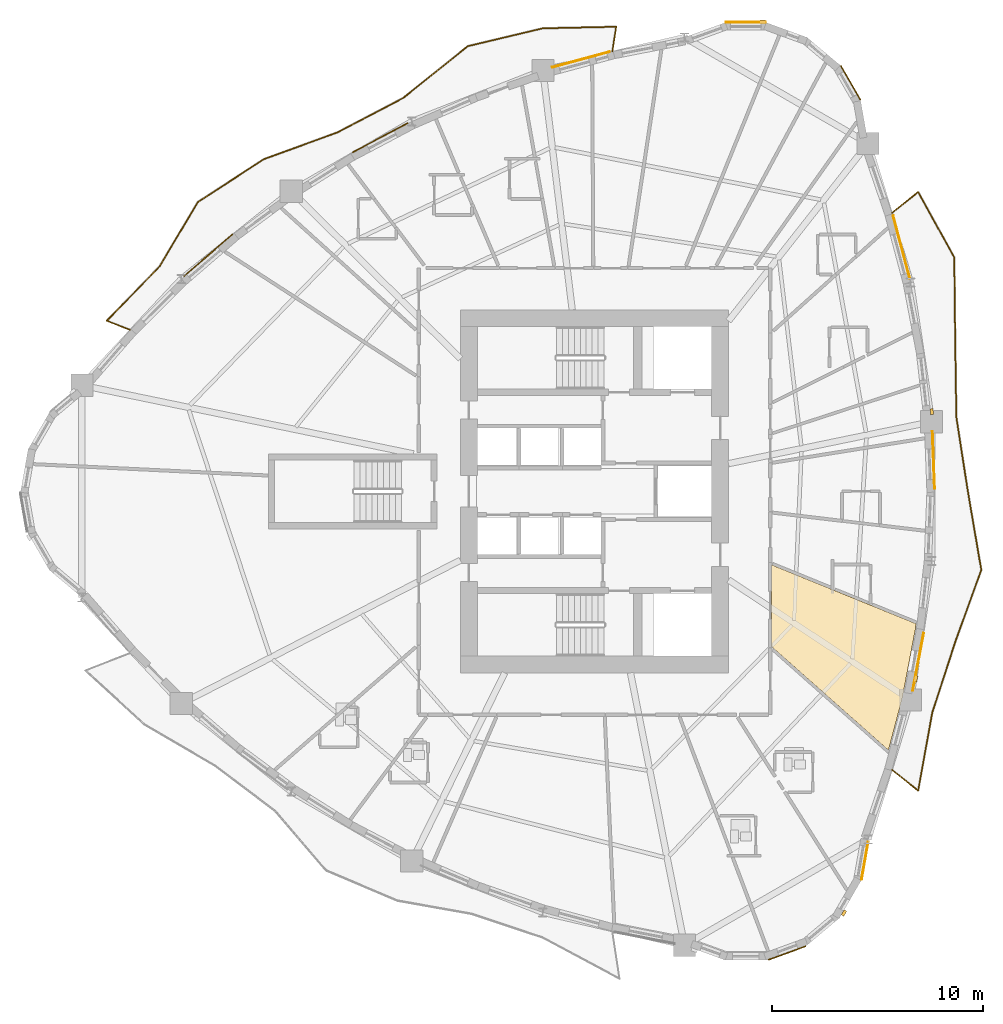
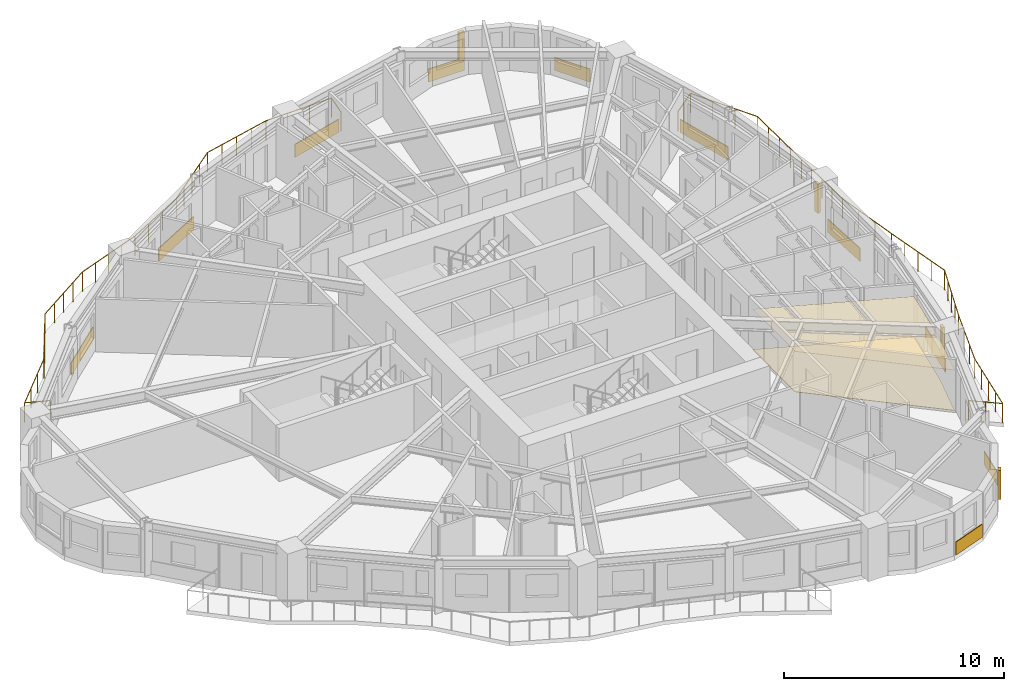
# One storey, part 13 of 14: 12 coverings, 4 shading devices, 2 railings.
"""IFC4 building model written with IfcOpenShell, lengths in metres."""

from ifc_helpers import new_model, si_unit, direction, frame, origin, origin_2d, place, context, subcontext, project, spatial, polyline, rectangle, circle, outline, extrude, source, transform, mapped, material, layer, layer_set, type_object, element, save


model = new_model("IFC4")

# Units and contexts
model_context = context("Model", 3, precision=1e-05, world=origin(), true_north=direction((0.0, 1.0)))
body_context = subcontext(model_context, "Body", "Model", "MODEL_VIEW")
ifc_project = project(units=[si_unit("LENGTHUNIT", "METRE"), si_unit("AREAUNIT", "SQUARE_METRE"), si_unit("VOLUMEUNIT", "CUBIC_METRE"), si_unit("PLANEANGLEUNIT", "RADIAN"), si_unit("MASSUNIT", "GRAM", prefix="KILO")], contexts=[model_context])

# Site, building, storey
site_placement = place(None, origin())
site = spatial("IfcSite", under=ifc_project, at=site_placement, CompositionType="ELEMENT")
building_placement = place(site_placement, origin())
building = spatial("IfcBuilding", under=site, at=building_placement, Name="Qafzar Sky-Pleat Residences", CompositionType="ELEMENT")
storey_placement = place(building_placement, frame((0.0, 0.0, 39.800048828125)))
storey = spatial("IfcBuildingStorey", under=building, at=storey_placement, Name="L11", CompositionType="ELEMENT", Elevation=39.800048828125)

# Coverings
ifc_material_1 = material(Name="Perforated acoustic gypsum board ceiling")
ifc_layer_1 = layer(ifc_material_1, 0.02001953125)
ifc_layer_set_1 = layer_set([ifc_layer_1], Name="Perforated acoustic gypsum board ceiling")
covering_type_1 = type_object("IfcCoveringType", Name="COV-CEIL-ACOUSTIC", PredefinedType="CEILING", material=ifc_layer_set_1)
covering_1_placement = place(storey_placement, frame((0.0, 0.0, 2.239990234375)))
element("IfcCovering", 1, at=covering_1_placement, inside=storey, type_object=covering_type_1, Name="L11 Communal Kitchen Acoustic Ceiling", PredefinedType="CEILING", context=body_context, shape_type="SweptSolid", body=[
    extrude(outline(polyline([(45.552734375, 19.46630859375), (44.931884765625, 16.197998046875), (44.277099609375, 13.736083984375), (38.739990234375, 18.643798828125), (38.739990234375, 22.517578125), (45.582763671875, 19.72998046875), (45.552734375, 19.46630859375)])), origin(), (0.0, 0.0, 1.0), 0.02001953125),
])
ifc_material_2 = material(Name="Honed porcelain and Riyadh stone tile flooring", Category="masonry")
ifc_layer_2 = layer(ifc_material_2, 0.02001953125)
ifc_layer_set_2 = layer_set([ifc_layer_2], Name="Honed porcelain and Riyadh stone tile flooring")
covering_type_2 = type_object("IfcCoveringType", Name="COV-FLR-PORCELAIN", PredefinedType="FLOORING", material=ifc_layer_set_2)
covering_2_placement = place(storey_placement, origin())
element("IfcCovering", 2, at=covering_2_placement, inside=storey, type_object=covering_type_2, Name="L11 Communal Kitchen Honed Stone Flooring", PredefinedType="FLOORING", context=body_context, shape_type="SweptSolid", body=[
    extrude(outline(polyline([(45.552734375, 19.46630859375), (44.931884765625, 16.197998046875), (44.277099609375, 13.736083984375), (38.739990234375, 18.643798828125), (38.739990234375, 22.517578125), (45.582763671875, 19.72998046875), (45.552734375, 19.46630859375)])), origin(), (0.0, 0.0, 1.0), 0.02001953125),
])

# Shading devices
ifc_material_3 = material(Name="Honed Riyadh limestone solar fin", Category="masonry")
ifc_layer_3 = layer(ifc_material_3, 0.139892578125)
ifc_layer_set_3 = layer_set([ifc_layer_3], Name="Honed Riyadh limestone solar fin")
shading_device_type = type_object("IfcShadingDeviceType", Name="SHD-FIN-STONE", PredefinedType="SHUTTER", material=ifc_layer_set_3)
shared_shape_1 = source(origin(), body_context, "Body", "SweptSolid", [
    extrude(rectangle(XDim=0.139892578125, YDim=0.280029296875, at=origin_2d()), origin(), (0.0, 0.0, 1.0), 1.60009765625),
])
for number, where, z_axis, x_axis, name in (
    (3, (42.171142578125, 6.02197265625, 0.599853515625), (0.0, 0.0, 1.0), (0.86604422228, -0.499967403994, 0.0), "L11 Limestone Solar Fin 21"),
    (4, (45.57958984375, 17.11572265625, 0.599853515625), (0.0, 0.0, 1.0), (0.982426090946, -0.186652018013, 0.0), "L11 Limestone Solar Fin 25"),
    (5, (46.33544921875, 29.773681640625, 0.599853515625), (0.0, 0.0, 1.0), (0.993566238116, 0.113252507596, 0.0), "L11 Limestone Solar Fin 29"),
    (6, (38.322509765625, 48.26171875, 0.599853515625), (0.0, 0.0, 1.0), (0.0, 1.0, 0.0), "L11 Limestone Solar Fin 37"),
):
    element("IfcShadingDevice", number, at=place(storey_placement, frame(where, z_axis=z_axis, x_axis=x_axis)), inside=storey, type_object=shading_device_type, Name=name, PredefinedType="SHUTTER", context=body_context, shape_type="MappedRepresentation", body=[
        mapped(shared_shape_1, transform((0.0, 0.0, 0.0), x_axis=(1.0, 0.0, 0.0), y_axis=(0.0, 1.0, 0.0), z_axis=(0.0, 0.0, 1.0), scale=1.0)),
    ])

# Coverings
ifc_material_4 = material(Name="Honed Riyadh Tuwaiq limestone cladding", Category="masonry")
ifc_layer_4 = layer(ifc_material_4, 0.044921875)
ifc_layer_set_4 = layer_set([ifc_layer_4], Name="Honed Riyadh Tuwaiq limestone cladding")
covering_type_3 = type_object("IfcCoveringType", Name="COV-CLAD-STONE", PredefinedType="CLADDING", material=ifc_layer_set_4)
shared_shape_2 = source(origin(), body_context, "Body", "SweptSolid", [
    extrude(rectangle(XDim=1.88134765625, YDim=0.044921875, at=origin_2d()), origin(), (0.0, 0.0, 1.0), 0.719970703125),
])
for number, where, z_axis, x_axis, name in (
    (7, (39.478515625, 4.127197265625, 0.02001953125), (0.0, 0.0, 1.0), (0.939678833387, 0.342058021518, 0.0), "L11 Riyadh Limestone Spandrel Cladding 19"),
    (8, (42.483154296875, 45.351806640625, 0.02001953125), (0.0, 0.0, 1.0), (-0.499972303345, 0.866041393865, 0.0), "L11 Riyadh Limestone Spandrel Cladding 34"),
    (9, (37.517578125, 48.21875, 0.02001953125), (0.0, 0.0, 1.0), (-1.0, 0.0, 0.0), "L11 Riyadh Limestone Spandrel Cladding 37"),
):
    element("IfcCovering", number, at=place(storey_placement, frame(where, z_axis=z_axis, x_axis=x_axis)), inside=storey, type_object=covering_type_3, Name=name, PredefinedType="CLADDING", context=body_context, shape_type="MappedRepresentation", body=[
        mapped(shared_shape_2, transform((0.0, 0.0, 0.0), x_axis=(1.0, 0.0, 0.0), y_axis=(0.0, 1.0, 0.0), z_axis=(0.0, 0.0, 1.0), scale=1.0)),
    ])
shared_shape_3 = source(origin(), body_context, "Body", "SweptSolid", [
    extrude(rectangle(XDim=1.8291015625, YDim=0.044921875, at=origin_2d()), origin(), (0.0, 0.0, 1.0), 0.719970703125),
])
covering_3_placement = place(storey_placement, frame((43.1591796875, 8.490966796875, 0.02001953125), z_axis=(0.0, 0.0, 1.0), x_axis=(0.17364778674, 0.984807821943, 0.0)))
element("IfcCovering", 10, at=covering_3_placement, inside=storey, type_object=covering_type_3, Name="L11 Riyadh Limestone Spandrel Cladding 22", PredefinedType="CLADDING", context=body_context, shape_type="MappedRepresentation", body=[
    mapped(shared_shape_3, transform((0.0, 0.0, 0.0), x_axis=(1.0, 0.0, 0.0), y_axis=(0.0, 1.0, 0.0), z_axis=(0.0, 0.0, 1.0), scale=1.0)),
])

# Railing
ifc_material_5 = material(Name="Laminated glass and bronze steel balustrade", Category="steel")
railing_type = type_object("IfcRailingType", Name="RAIL-BAL-1100", PredefinedType="BALUSTRADE", material=ifc_material_5)
shared_shape_4 = source(origin(), body_context, "Body", "SweptSolid", [
    extrude(circle(Radius=0.02392578125, at=origin_2d()), frame((0.0, 0.0, 1.076171875), z_axis=(0.151917016877, 0.988393251688, 0.0), x_axis=(-0.988393251688, 0.151917016877, 0.0)), (0.0, 0.0, 1.0), 1.177978515625),
    extrude(circle(Radius=0.02392578125, at=origin_2d()), frame((0.178955078125, 1.164306640625, 1.076171875), z_axis=(-0.99976715239, -0.021578716394, 0.0), x_axis=(0.021578716394, -0.99976715239, 0.0)), (0.0, 0.0, 1.0), 3.484619140625),
    extrude(circle(Radius=0.02392578125, at=origin_2d()), frame((-3.304931640625, 1.089111328125, 1.076171875), z_axis=(-0.972696245734, -0.232081911263, 0.0), x_axis=(0.232081911263, -0.972696245734, 0.0)), (0.0, 0.0, 1.0), 3.648193359375),
    extrude(circle(Radius=0.02392578125, at=origin_2d()), frame((-6.853515625, 0.242431640625, 1.076171875), z_axis=(-0.779956316978, -0.625833958495, 0.0), x_axis=(0.625833958495, -0.779956316978, 0.0)), (0.0, 0.0, 1.0), 3.9189453125),
    extrude(circle(Radius=0.02392578125, at=origin_2d()), frame((-9.91015625, -2.210205078125, 1.076171875), z_axis=(-0.88581111763, -0.464045971734, 0.0), x_axis=(0.464045971734, -0.88581111763, 0.0)), (0.0, 0.0, 1.0), 3.5107421875),
    extrude(circle(Radius=0.02392578125, at=origin_2d()), frame((-13.02001953125, -3.83935546875, 1.076171875), z_axis=(-0.939699130778, -0.342002256739, 0.0), x_axis=(0.342002256739, -0.939699130778, 0.0)), (0.0, 0.0, 1.0), 3.70556640625),
    extrude(circle(Radius=0.02392578125, at=origin_2d()), frame((-16.502197265625, -5.106689453125, 1.076171875), z_axis=(-0.839207102397, -0.543811952137, 0.0), x_axis=(0.543811952137, -0.839207102397, 0.0)), (0.0, 0.0, 1.0), 3.736572265625),
    extrude(circle(Radius=0.02392578125, at=origin_2d()), frame((-19.637939453125, -7.138671875, 1.076171875), z_axis=(-0.511359412882, -0.859366947734, 0.0), x_axis=(0.859366947734, -0.511359412882, 0.0)), (0.0, 0.0, 1.0), 3.552490234375),
    extrude(circle(Radius=0.02392578125, at=origin_2d()), frame((-21.45458984375, -10.191650390625, 1.076171875), z_axis=(-0.696103334982, -0.71794160419, 0.0), x_axis=(0.71794160419, -0.696103334982, 0.0)), (0.0, 0.0, 1.0), 3.588623046875),
    extrude(circle(Radius=0.02392578125, at=origin_2d()), frame((-23.95263671875, -12.76806640625, 1.076171875), z_axis=(0.931895714322, -0.362726312292, 0.0), x_axis=(0.362726312292, 0.931895714322, 0.0)), (0.0, 0.0, 1.0), 1.177978515625),
    extrude(circle(Radius=0.02099609375, at=origin_2d()), origin(), (0.0, 0.0, 1.0), 1.052001953125),
    extrude(circle(Radius=0.02099609375, at=origin_2d()), frame((0.178955078125, 1.164306640625, 0.0)), (0.0, 0.0, 1.0), 1.052001953125),
    extrude(circle(Radius=0.02099609375, at=origin_2d()), frame((-0.982421875, 1.13916015625, 0.0)), (0.0, 0.0, 1.0), 1.052001953125),
    extrude(circle(Radius=0.02099609375, at=origin_2d()), frame((-2.1435546875, 1.1142578125, 0.0)), (0.0, 0.0, 1.0), 1.052001953125),
    extrude(circle(Radius=0.02099609375, at=origin_2d()), frame((-3.304931640625, 1.089111328125, 0.0)), (0.0, 0.0, 1.0), 1.052001953125),
    extrude(circle(Radius=0.02099609375, at=origin_2d()), frame((-4.192138671875, 0.87744140625, 0.0)), (0.0, 0.0, 1.0), 1.052001953125),
    extrude(circle(Radius=0.02099609375, at=origin_2d()), frame((-5.0791015625, 0.665771484375, 0.0)), (0.0, 0.0, 1.0), 1.052001953125),
    extrude(circle(Radius=0.02099609375, at=origin_2d()), frame((-5.96630859375, 0.4541015625, 0.0)), (0.0, 0.0, 1.0), 1.052001953125),
    extrude(circle(Radius=0.02099609375, at=origin_2d()), frame((-6.853515625, 0.242431640625, 0.0)), (0.0, 0.0, 1.0), 1.052001953125),
    extrude(circle(Radius=0.02099609375, at=origin_2d()), frame((-7.61767578125, -0.37060546875, 0.0)), (0.0, 0.0, 1.0), 1.052001953125),
    extrude(circle(Radius=0.02099609375, at=origin_2d()), frame((-8.3818359375, -0.98388671875, 0.0)), (0.0, 0.0, 1.0), 1.052001953125),
    extrude(circle(Radius=0.02099609375, at=origin_2d()), frame((-9.14599609375, -1.59716796875, 0.0)), (0.0, 0.0, 1.0), 1.052001953125),
    extrude(circle(Radius=0.02099609375, at=origin_2d()), frame((-9.91015625, -2.210205078125, 0.0)), (0.0, 0.0, 1.0), 1.052001953125),
    extrude(circle(Radius=0.02099609375, at=origin_2d()), frame((-10.94677734375, -2.753173828125, 0.0)), (0.0, 0.0, 1.0), 1.052001953125),
    extrude(circle(Radius=0.02099609375, at=origin_2d()), frame((-11.9833984375, -3.29638671875, 0.0)), (0.0, 0.0, 1.0), 1.052001953125),
    extrude(circle(Radius=0.02099609375, at=origin_2d()), frame((-13.02001953125, -3.83935546875, 0.0)), (0.0, 0.0, 1.0), 1.052001953125),
    extrude(circle(Radius=0.02099609375, at=origin_2d()), frame((-13.890625, -4.15625, 0.0)), (0.0, 0.0, 1.0), 1.052001953125),
    extrude(circle(Radius=0.02099609375, at=origin_2d()), frame((-14.76123046875, -4.47314453125, 0.0)), (0.0, 0.0, 1.0), 1.052001953125),
    extrude(circle(Radius=0.02099609375, at=origin_2d()), frame((-15.631591796875, -4.789794921875, 0.0)), (0.0, 0.0, 1.0), 1.052001953125),
    extrude(circle(Radius=0.02099609375, at=origin_2d()), frame((-16.502197265625, -5.106689453125, 0.0)), (0.0, 0.0, 1.0), 1.052001953125),
    extrude(circle(Radius=0.02099609375, at=origin_2d()), frame((-17.2861328125, -5.61474609375, 0.0)), (0.0, 0.0, 1.0), 1.052001953125),
    extrude(circle(Radius=0.02099609375, at=origin_2d()), frame((-18.070068359375, -6.12255859375, 0.0)), (0.0, 0.0, 1.0), 1.052001953125),
    extrude(circle(Radius=0.02099609375, at=origin_2d()), frame((-18.85400390625, -6.630615234375, 0.0)), (0.0, 0.0, 1.0), 1.052001953125),
    extrude(circle(Radius=0.02099609375, at=origin_2d()), frame((-19.637939453125, -7.138671875, 0.0)), (0.0, 0.0, 1.0), 1.052001953125),
    extrude(circle(Radius=0.02099609375, at=origin_2d()), frame((-20.243408203125, -8.15625, 0.0)), (0.0, 0.0, 1.0), 1.052001953125),
    extrude(circle(Radius=0.02099609375, at=origin_2d()), frame((-20.84912109375, -9.174072265625, 0.0)), (0.0, 0.0, 1.0), 1.052001953125),
    extrude(circle(Radius=0.02099609375, at=origin_2d()), frame((-21.45458984375, -10.191650390625, 0.0)), (0.0, 0.0, 1.0), 1.052001953125),
    extrude(circle(Radius=0.02099609375, at=origin_2d()), frame((-22.287353515625, -11.050537109375, 0.0)), (0.0, 0.0, 1.0), 1.052001953125),
    extrude(circle(Radius=0.02099609375, at=origin_2d()), frame((-23.119873046875, -11.9091796875, 0.0)), (0.0, 0.0, 1.0), 1.052001953125),
    extrude(circle(Radius=0.02099609375, at=origin_2d()), frame((-23.95263671875, -12.76806640625, 0.0)), (0.0, 0.0, 1.0), 1.052001953125),
    extrude(circle(Radius=0.02099609375, at=origin_2d()), frame((-22.85498046875, -13.1953125, 0.0)), (0.0, 0.0, 1.0), 1.052001953125),
])
railing_1_placement = place(storey_placement, frame((31.2001953125, 46.84765625, 0.0)))
element("IfcRailing", 11, at=railing_1_placement, inside=storey, type_object=railing_type, Name="L11 Pleated Balcony 2 Balustrade", PredefinedType="BALUSTRADE", context=body_context, shape_type="MappedRepresentation", body=[
    mapped(shared_shape_4, transform((0.0, 0.0, 0.0), x_axis=(1.0, 0.0, 0.0), y_axis=(0.0, 1.0, 0.0), z_axis=(0.0, 0.0, 1.0), scale=1.0)),
])

# Coverings
shared_shape_5 = source(origin(), body_context, "Body", "SweptSolid", [
    extrude(rectangle(XDim=2.78466796875, YDim=0.044921875, at=origin_2d()), origin(), (0.0, 0.0, 1.0), 0.719970703125),
])
covering_4_placement = place(storey_placement, frame((45.6884765625, 17.91943359375, 0.02001953125), z_axis=(0.0, 0.0, 1.0), x_axis=(0.186653159083, 0.982425874153, 0.0)))
element("IfcCovering", 12, at=covering_4_placement, inside=storey, type_object=covering_type_3, Name="L11 Riyadh Limestone Spandrel Cladding 25", PredefinedType="CLADDING", context=body_context, shape_type="MappedRepresentation", body=[
    mapped(shared_shape_5, transform((0.0, 0.0, 0.0), x_axis=(1.0, 0.0, 0.0), y_axis=(0.0, 1.0, 0.0), z_axis=(0.0, 0.0, 1.0), scale=1.0)),
])
shared_shape_6 = source(origin(), body_context, "Body", "SweptSolid", [
    extrude(rectangle(XDim=2.733642578125, YDim=0.044921875, at=origin_2d()), origin(), (0.0, 0.0, 1.0), 0.719970703125),
])
covering_5_placement = place(storey_placement, frame((46.415283203125, 27.48046875, 0.02001953125), z_axis=(0.0, 0.0, 1.0), x_axis=(-0.037993107975, 0.999278001232, 0.0)))
element("IfcCovering", 13, at=covering_5_placement, inside=storey, type_object=covering_type_3, Name="L11 Riyadh Limestone Spandrel Cladding 28", PredefinedType="CLADDING", context=body_context, shape_type="MappedRepresentation", body=[
    mapped(shared_shape_6, transform((0.0, 0.0, 0.0), x_axis=(1.0, 0.0, 0.0), y_axis=(0.0, 1.0, 0.0), z_axis=(0.0, 0.0, 1.0), scale=1.0)),
])
shared_shape_7 = source(origin(), body_context, "Body", "SweptSolid", [
    extrude(rectangle(XDim=3.086669921875, YDim=0.044921875, at=origin_2d()), origin(), (0.0, 0.0, 1.0), 0.719970703125),
])
covering_6_placement = place(storey_placement, frame((44.8974609375, 37.572998046875, 0.02001953125), z_axis=(0.0, 0.0, 1.0), x_axis=(-0.257060075079, 0.966395425176, 0.0)))
element("IfcCovering", 14, at=covering_6_placement, inside=storey, type_object=covering_type_3, Name="L11 Riyadh Limestone Spandrel Cladding 31", PredefinedType="CLADDING", context=body_context, shape_type="MappedRepresentation", body=[
    mapped(shared_shape_7, transform((0.0, 0.0, 0.0), x_axis=(1.0, 0.0, 0.0), y_axis=(0.0, 1.0, 0.0), z_axis=(0.0, 0.0, 1.0), scale=1.0)),
])
shared_shape_8 = source(origin(), body_context, "Body", "SweptSolid", [
    extrude(rectangle(XDim=2.834716796875, YDim=0.044921875, at=origin_2d()), origin(), (0.0, 0.0, 1.0), 0.719970703125),
])
covering_7_placement = place(storey_placement, frame((29.708984375, 46.45654296875, 0.02001953125), z_axis=(0.0, 0.0, 1.0), x_axis=(-0.965456482184, -0.260564350993, 0.0)))
element("IfcCovering", 15, at=covering_7_placement, inside=storey, type_object=covering_type_3, Name="L11 Riyadh Limestone Spandrel Cladding 40", PredefinedType="CLADDING", context=body_context, shape_type="MappedRepresentation", body=[
    mapped(shared_shape_8, transform((0.0, 0.0, 0.0), x_axis=(1.0, 0.0, 0.0), y_axis=(0.0, 1.0, 0.0), z_axis=(0.0, 0.0, 1.0), scale=1.0)),
])
shared_shape_9 = source(origin(), body_context, "Body", "SweptSolid", [
    extrude(rectangle(XDim=2.985595703125, YDim=0.044921875, at=origin_2d()), origin(), (0.0, 0.0, 1.0), 0.719970703125),
])
covering_8_placement = place(storey_placement, frame((20.1982421875, 42.753662109375, 0.02001953125), z_axis=(0.0, 0.0, 1.0), x_axis=(-0.884384061538, -0.466759929404, 0.0)))
element("IfcCovering", 16, at=covering_8_placement, inside=storey, type_object=covering_type_3, Name="L11 Riyadh Limestone Spandrel Cladding 43", PredefinedType="CLADDING", context=body_context, shape_type="MappedRepresentation", body=[
    mapped(shared_shape_9, transform((0.0, 0.0, 0.0), x_axis=(1.0, 0.0, 0.0), y_axis=(0.0, 1.0, 0.0), z_axis=(0.0, 0.0, 1.0), scale=1.0)),
])
shared_shape_10 = source(origin(), body_context, "Body", "SweptSolid", [
    extrude(rectangle(XDim=3.03662109375, YDim=0.044921875, at=origin_2d()), origin(), (0.0, 0.0, 1.0), 0.719970703125),
])
covering_9_placement = place(storey_placement, frame((12.0517578125, 37.18701171875, 0.02001953125), z_axis=(0.0, 0.0, 1.0), x_axis=(-0.757481729297, -0.652856362289, 0.0)))
element("IfcCovering", 17, at=covering_9_placement, inside=storey, type_object=covering_type_3, Name="L11 Riyadh Limestone Spandrel Cladding 46", PredefinedType="CLADDING", context=body_context, shape_type="MappedRepresentation", body=[
    mapped(shared_shape_10, transform((0.0, 0.0, 0.0), x_axis=(1.0, 0.0, 0.0), y_axis=(0.0, 1.0, 0.0), z_axis=(0.0, 0.0, 1.0), scale=1.0)),
])

# Railing
shared_shape_11 = source(origin(), body_context, "Body", "SweptSolid", [
    extrude(circle(Radius=0.02392578125, at=origin_2d()), frame((0.0, 0.0, 1.076171875), z_axis=(0.780083287134, -0.625675686865, 0.0), x_axis=(0.625675686865, 0.780083287134, 0.0)), (0.0, 0.0, 1.0), 1.577880859375),
    extrude(circle(Radius=0.02392578125, at=origin_2d()), frame((1.23095703125, -0.9873046875, 1.076171875), z_axis=(0.178085810184, 0.984014961376, 0.0), x_axis=(-0.984014961376, 0.178085810184, 0.0)), (0.0, 0.0, 1.0), 3.76171875),
    extrude(circle(Radius=0.02392578125, at=origin_2d()), frame((1.90087890625, 2.71435546875, 1.076171875), z_axis=(0.30916783486, 0.951007492025, 0.0), x_axis=(-0.951007492025, 0.30916783486, 0.0)), (0.0, 0.0, 1.0), 3.510986328125),
    extrude(circle(Radius=0.02392578125, at=origin_2d()), frame((2.986328125, 6.05322265625, 1.076171875), z_axis=(0.339624675378, 0.940561045267, 0.0), x_axis=(-0.940561045267, 0.339624675378, 0.0)), (0.0, 0.0, 1.0), 3.63818359375),
    extrude(circle(Radius=0.02392578125, at=origin_2d()), frame((4.221923828125, 9.47509765625, 1.076171875), z_axis=(-0.168760936197, 0.985657012563, 0.0), x_axis=(-0.985657012563, -0.168760936197, 0.0)), (0.0, 0.0, 1.0), 3.7744140625),
    extrude(circle(Radius=0.02392578125, at=origin_2d()), frame((3.5849609375, 13.1953125, 1.076171875), z_axis=(-0.153302592165, 0.988179293061, 0.0), x_axis=(-0.988179293061, -0.153302592165, 0.0)), (0.0, 0.0, 1.0), 3.5498046875),
    extrude(circle(Radius=0.02392578125, at=origin_2d()), frame((3.040771484375, 16.703125, 1.076171875), z_axis=(-0.014978837957, 0.999887810914, 0.0), x_axis=(-0.999887810914, -0.014978837957, 0.0)), (0.0, 0.0, 1.0), 3.634765625),
    extrude(circle(Radius=0.02392578125, at=origin_2d()), frame((2.986328125, 20.33740234375, 1.076171875), z_axis=(-0.010984256303, 0.999939671237, 0.0), x_axis=(-0.999939671237, -0.010984256303, 0.0)), (0.0, 0.0, 1.0), 3.93408203125),
    extrude(circle(Radius=0.02392578125, at=origin_2d()), frame((2.943115234375, 24.271240234375, 1.076171875), z_axis=(-0.482671554525, 0.875801444651, 0.0), x_axis=(-0.875801444651, -0.482671554525, 0.0)), (0.0, 0.0, 1.0), 3.54736328125),
    extrude(circle(Radius=0.02392578125, at=origin_2d()), frame((1.23095703125, 27.3779296875, 1.076171875), z_axis=(-0.780083287134, -0.625675686865, 0.0), x_axis=(0.625675686865, -0.780083287134, 0.0)), (0.0, 0.0, 1.0), 1.577880859375),
    extrude(circle(Radius=0.02099609375, at=origin_2d()), origin(), (0.0, 0.0, 1.0), 1.052001953125),
    extrude(circle(Radius=0.02099609375, at=origin_2d()), frame((0.615478515625, -0.49365234375, 0.0)), (0.0, 0.0, 1.0), 1.052001953125),
    extrude(circle(Radius=0.02099609375, at=origin_2d()), frame((1.23095703125, -0.9873046875, 0.0)), (0.0, 0.0, 1.0), 1.052001953125),
    extrude(circle(Radius=0.02099609375, at=origin_2d()), frame((1.3984375, -0.06201171875, 0.0)), (0.0, 0.0, 1.0), 1.052001953125),
    extrude(circle(Radius=0.02099609375, at=origin_2d()), frame((1.56591796875, 0.863525390625, 0.0)), (0.0, 0.0, 1.0), 1.052001953125),
    extrude(circle(Radius=0.02099609375, at=origin_2d()), frame((1.7333984375, 1.7890625, 0.0)), (0.0, 0.0, 1.0), 1.052001953125),
    extrude(circle(Radius=0.02099609375, at=origin_2d()), frame((1.90087890625, 2.71435546875, 0.0)), (0.0, 0.0, 1.0), 1.052001953125),
    extrude(circle(Radius=0.02099609375, at=origin_2d()), frame((2.2626953125, 3.827392578125, 0.0)), (0.0, 0.0, 1.0), 1.052001953125),
    extrude(circle(Radius=0.02099609375, at=origin_2d()), frame((2.62451171875, 4.940185546875, 0.0)), (0.0, 0.0, 1.0), 1.052001953125),
    extrude(circle(Radius=0.02099609375, at=origin_2d()), frame((2.986328125, 6.05322265625, 0.0)), (0.0, 0.0, 1.0), 1.052001953125),
    extrude(circle(Radius=0.02099609375, at=origin_2d()), frame((3.295166015625, 6.90869140625, 0.0)), (0.0, 0.0, 1.0), 1.052001953125),
    extrude(circle(Radius=0.02099609375, at=origin_2d()), frame((3.60400390625, 7.76416015625, 0.0)), (0.0, 0.0, 1.0), 1.052001953125),
    extrude(circle(Radius=0.02099609375, at=origin_2d()), frame((3.9130859375, 8.61962890625, 0.0)), (0.0, 0.0, 1.0), 1.052001953125),
    extrude(circle(Radius=0.02099609375, at=origin_2d()), frame((4.221923828125, 9.47509765625, 0.0)), (0.0, 0.0, 1.0), 1.052001953125),
    extrude(circle(Radius=0.02099609375, at=origin_2d()), frame((4.062744140625, 10.4052734375, 0.0)), (0.0, 0.0, 1.0), 1.052001953125),
    extrude(circle(Radius=0.02099609375, at=origin_2d()), frame((3.9033203125, 11.335205078125, 0.0)), (0.0, 0.0, 1.0), 1.052001953125),
    extrude(circle(Radius=0.02099609375, at=origin_2d()), frame((3.744140625, 12.26513671875, 0.0)), (0.0, 0.0, 1.0), 1.052001953125),
    extrude(circle(Radius=0.02099609375, at=origin_2d()), frame((3.5849609375, 13.1953125, 0.0)), (0.0, 0.0, 1.0), 1.052001953125),
    extrude(circle(Radius=0.02099609375, at=origin_2d()), frame((3.403564453125, 14.364501953125, 0.0)), (0.0, 0.0, 1.0), 1.052001953125),
    extrude(circle(Radius=0.02099609375, at=origin_2d()), frame((3.22216796875, 15.533935546875, 0.0)), (0.0, 0.0, 1.0), 1.052001953125),
    extrude(circle(Radius=0.02099609375, at=origin_2d()), frame((3.040771484375, 16.703125, 0.0)), (0.0, 0.0, 1.0), 1.052001953125),
    extrude(circle(Radius=0.02099609375, at=origin_2d()), frame((3.027099609375, 17.61181640625, 0.0)), (0.0, 0.0, 1.0), 1.052001953125),
    extrude(circle(Radius=0.02099609375, at=origin_2d()), frame((3.013671875, 18.520263671875, 0.0)), (0.0, 0.0, 1.0), 1.052001953125),
    extrude(circle(Radius=0.02099609375, at=origin_2d()), frame((3.0, 19.4287109375, 0.0)), (0.0, 0.0, 1.0), 1.052001953125),
    extrude(circle(Radius=0.02099609375, at=origin_2d()), frame((2.986328125, 20.33740234375, 0.0)), (0.0, 0.0, 1.0), 1.052001953125),
    extrude(circle(Radius=0.02099609375, at=origin_2d()), frame((2.9755859375, 21.32080078125, 0.0)), (0.0, 0.0, 1.0), 1.052001953125),
    extrude(circle(Radius=0.02099609375, at=origin_2d()), frame((2.96484375, 22.30419921875, 0.0)), (0.0, 0.0, 1.0), 1.052001953125),
    extrude(circle(Radius=0.02099609375, at=origin_2d()), frame((2.953857421875, 23.287841796875, 0.0)), (0.0, 0.0, 1.0), 1.052001953125),
    extrude(circle(Radius=0.02099609375, at=origin_2d()), frame((2.943115234375, 24.271240234375, 0.0)), (0.0, 0.0, 1.0), 1.052001953125),
    extrude(circle(Radius=0.02099609375, at=origin_2d()), frame((2.372314453125, 25.306884765625, 0.0)), (0.0, 0.0, 1.0), 1.052001953125),
    extrude(circle(Radius=0.02099609375, at=origin_2d()), frame((1.8017578125, 26.34228515625, 0.0)), (0.0, 0.0, 1.0), 1.052001953125),
    extrude(circle(Radius=0.02099609375, at=origin_2d()), frame((1.23095703125, 27.3779296875, 0.0)), (0.0, 0.0, 1.0), 1.052001953125),
    extrude(circle(Radius=0.02099609375, at=origin_2d()), frame((0.615478515625, 26.88427734375, 0.0)), (0.0, 0.0, 1.0), 1.052001953125),
    extrude(circle(Radius=0.02099609375, at=origin_2d()), frame((0.0, 26.390625, 0.0)), (0.0, 0.0, 1.0), 1.052001953125),
])
railing_2_placement = place(storey_placement, frame((44.45458984375, 12.8046875, 0.0)))
element("IfcRailing", 18, at=railing_2_placement, inside=storey, type_object=railing_type, Name="L11 Pleated Balcony 1 Balustrade", PredefinedType="BALUSTRADE", context=body_context, shape_type="MappedRepresentation", body=[
    mapped(shared_shape_11, transform((0.0, 0.0, 0.0), x_axis=(1.0, 0.0, 0.0), y_axis=(0.0, 1.0, 0.0), z_axis=(0.0, 0.0, 1.0), scale=1.0)),
])

save(model, "model.ifc")
